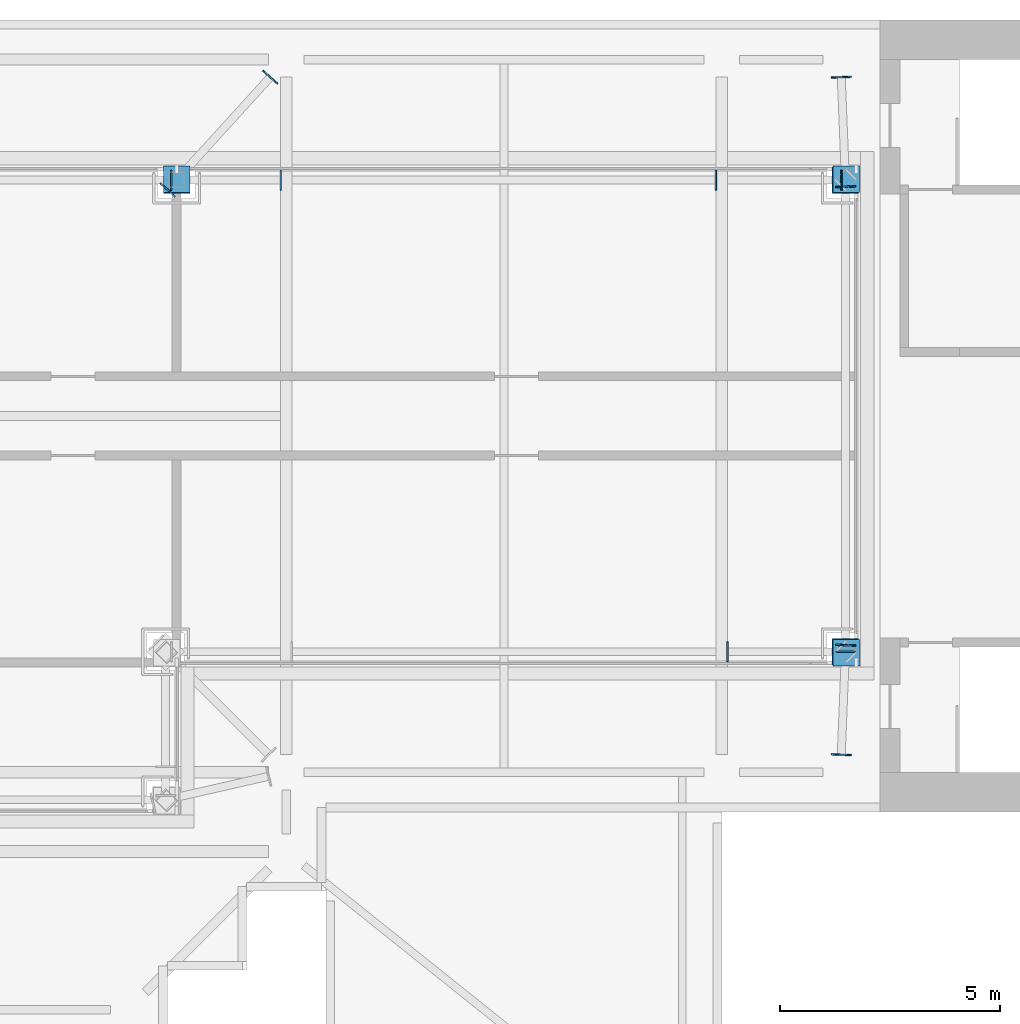
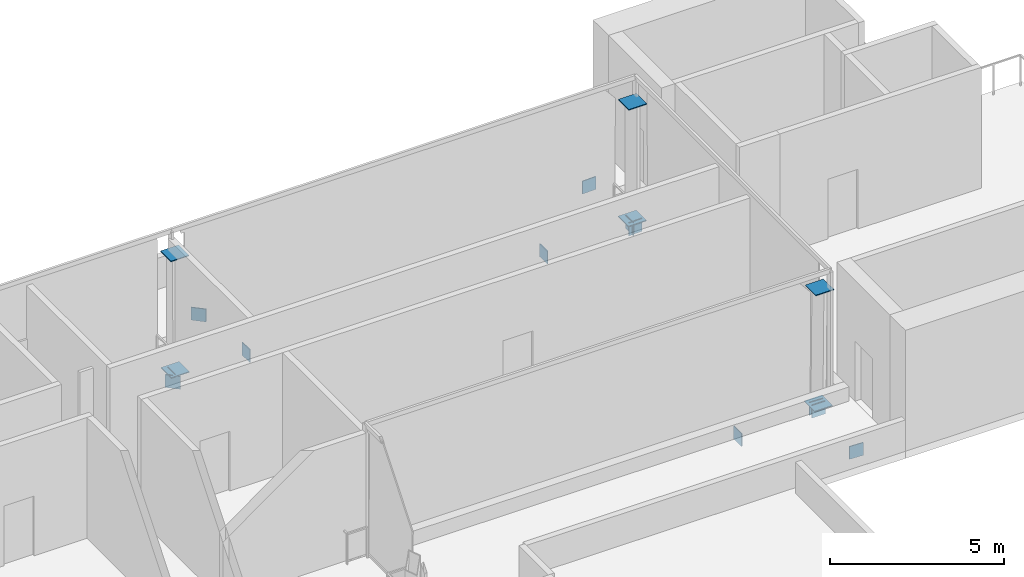
# One storey, part 7 of 8: 18 discrete accessories.
"""IFC4 building model written with IfcOpenShell, lengths in metres."""

from ifc_helpers import new_model, si_unit, direction, frame, origin, origin_2d, place, context, subcontext, project, spatial, rectangle, extrude, material, material_profile, profile_set, type_object, element, save


model = new_model("IFC4")

# Units and contexts
model_context = context("Model", 3, precision=1e-05, world=origin(), true_north=direction((0.0, 1.0)))
body_context = subcontext(model_context, "Body", "Model", "MODEL_VIEW")
ifc_project = project(units=[si_unit("LENGTHUNIT", "METRE"), si_unit("AREAUNIT", "SQUARE_METRE"), si_unit("VOLUMEUNIT", "CUBIC_METRE"), si_unit("PLANEANGLEUNIT", "RADIAN"), si_unit("MASSUNIT", "GRAM", prefix="KILO")], contexts=[model_context])

# Site, building, storey
site_placement = place(None, origin())
site = spatial("IfcSite", under=ifc_project, at=site_placement, CompositionType="ELEMENT")
building_placement = place(site_placement, origin())
building = spatial("IfcBuilding", under=site, at=building_placement, Name="Perihelion Cross Residences", CompositionType="ELEMENT")
storey_placement = place(building_placement, frame((0.0, 0.0, 298.800048828125)))
storey = spatial("IfcBuildingStorey", under=building, at=storey_placement, Name="L76", CompositionType="ELEMENT", Elevation=298.800048828125)

# Discrete accessories
ifc_material_1 = material(Name="Structural steel S355 plate", Category="steel")
ifc_material_profile_1 = material_profile(ifc_material_1, rectangle(XDim=0.449951171875, YDim=0.449951171875, at=origin_2d()), Name="Crown end plate")
ifc_profile_set_1 = profile_set([ifc_material_profile_1], Name="Structural steel S355 plate")
discrete_accessory_type_1 = type_object("IfcDiscreteAccessoryType", Name="Crown end plate", PredefinedType="BRACKET", material=ifc_profile_set_1)
discrete_accessory_1_placement = place(storey_placement, frame((20.810546875, -5.375244140625, -0.45849609375), z_axis=(0.0, 1.0, 0.0), x_axis=(-1.0, 0.0, 0.0)))
element("IfcDiscreteAccessory", 1, at=discrete_accessory_1_placement, inside=storey, type_object=discrete_accessory_type_1, Name="Crown end plate", PredefinedType="BRACKET", context=body_context, shape_type="SweptSolid", body=[
    extrude(rectangle(XDim=0.449951171875, YDim=0.449951171875, at=origin_2d()), origin(), (0.0, 0.0, 1.0), 0.030029296875),
])
discrete_accessory_2_placement = place(storey_placement, frame((20.73486328125, 5.360107421875, -0.45849609375), z_axis=(-1.0, 0.0, 0.0), x_axis=(0.0, -1.0, 0.0)))
element("IfcDiscreteAccessory", 2, at=discrete_accessory_2_placement, inside=storey, type_object=discrete_accessory_type_1, Name="Crown end plate", PredefinedType="BRACKET", context=body_context, shape_type="SweptSolid", body=[
    extrude(rectangle(XDim=0.449951171875, YDim=0.449951171875, at=origin_2d()), origin(), (0.0, 0.0, 1.0), 0.02978515625),
])
for number, where, z_axis, x_axis, name in (
    (3, (17.881591796875, 5.360107421875, -0.45849609375), (-1.0, 0.0, 0.0), (0.0, -1.0, 0.0), "Crown end plate"),
    (4, (7.988037109375, 5.360107421875, -0.45849609375), (-1.0, 0.0, 0.0), (0.0, -1.0, 0.0), "Crown end plate"),
    (5, (5.499755859375, 5.360107421875, -0.45849609375), (-1.0, 0.0, 0.0), (0.0, -1.0, 0.0), "Crown end plate"),
    (6, (18.118408203125, -5.360107421875, -0.45849609375), (1.0, 0.0, 0.0), (0.0, 1.0, 0.0), "Crown end plate"),
    (7, (20.817138671875, -5.1953125, -0.45849609375), (-0.040616861577, -0.999174794796, 0.0), (0.999174794796, -0.040616861577, 0.0), "Crown end plate"),
    (8, (20.716796875, -7.68505859375, -0.45849609375), (-0.040616861577, -0.999174794796, 0.0), (0.999174794796, -0.040616861577, 0.0), "Crown end plate"),
    (9, (20.817138671875, 5.1953125, -0.45849609375), (-0.040616861577, 0.999174794796, 0.0), (-0.999174794796, -0.040616861577, 0.0), "Crown end plate"),
    (10, (20.716796875, 7.68505859375, -0.45849609375), (-0.040616861577, 0.999174794796, 0.0), (-0.999174794796, -0.040616861577, 0.0), "Crown end plate"),
    (11, (5.39501953125, 5.127197265625, -0.45849609375), (0.673884243496, 0.738836941664, 0.0), (-0.738836941664, 0.673884243496, 0.0), "Crown end plate"),
    (12, (7.725830078125, 7.68896484375, -0.45849609375), (0.673884243496, 0.738836941664, 0.0), (-0.738836941664, 0.673884243496, 0.0), "Crown end plate"),
):
    element("IfcDiscreteAccessory", number, at=place(storey_placement, frame(where, z_axis=z_axis, x_axis=x_axis)), inside=storey, type_object=discrete_accessory_type_1, Name=name, PredefinedType="BRACKET", context=body_context, shape_type="SweptSolid", body=[
        extrude(rectangle(XDim=0.449951171875, YDim=0.449951171875, at=origin_2d()), origin(), (0.0, 0.0, 1.0), 0.030029296875),
    ])
ifc_material_2 = material(Name="Structural steel S355 plate", Category="steel")
ifc_material_profile_2 = material_profile(ifc_material_2, rectangle(XDim=0.60009765625, YDim=0.60009765625, at=origin_2d()), Name="Crown gusset plate")
ifc_profile_set_2 = profile_set([ifc_material_profile_2], Name="Structural steel S355 plate")
discrete_accessory_type_2 = type_object("IfcDiscreteAccessoryType", Name="Crown gusset plate", PredefinedType="BRACKET", material=ifc_profile_set_2)
for number, where, z_axis, x_axis, name in (
    (13, (20.810546875, -5.360107421875, -0.26513671875), (0.0, -0.008129812622, 0.999966952527), (1.0, 0.0, 0.0), "Crown gusset plate"),
    (14, (20.833251953125, -5.3828125, 3.81787109375), (0.0, 0.0, 1.0), (1.0, 0.0, 0.0), "Crown gusset plate"),
    (15, (20.810546875, 5.360107421875, -0.26513671875), (0.0, 0.008129812622, 0.999966952527), (-1.0, 0.0, 0.0), "Crown gusset plate"),
    (16, (20.833251953125, 5.3828125, 3.81787109375), (0.0, 0.0, 1.0), (1.0, 0.0, 0.0), "Crown gusset plate"),
    (17, (5.60693359375, 5.360107421875, -0.26513671875), (0.0, 0.008129812622, 0.999966952527), (-1.0, 0.0, 0.0), "Crown gusset plate"),
    (18, (5.60693359375, 5.3828125, 3.81787109375), (0.0, 0.0, 1.0), (1.0, 0.0, 0.0), "Crown gusset plate"),
):
    element("IfcDiscreteAccessory", number, at=place(storey_placement, frame(where, z_axis=z_axis, x_axis=x_axis)), inside=storey, type_object=discrete_accessory_type_2, Name=name, PredefinedType="BRACKET", context=body_context, shape_type="SweptSolid", body=[
        extrude(rectangle(XDim=0.60009765625, YDim=0.60009765625, at=origin_2d()), origin(), (0.0, 0.0, 1.0), 0.030029296875),
    ])

save(model, "model.ifc")
